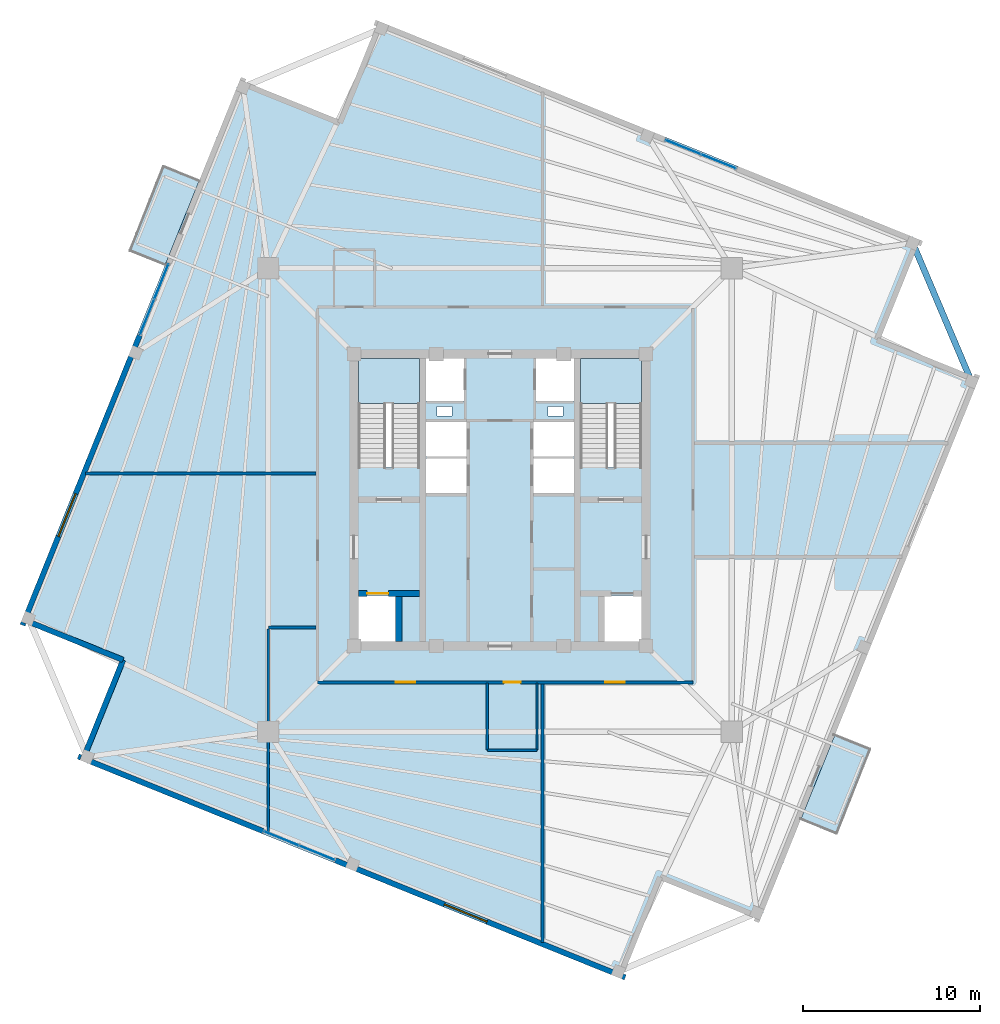
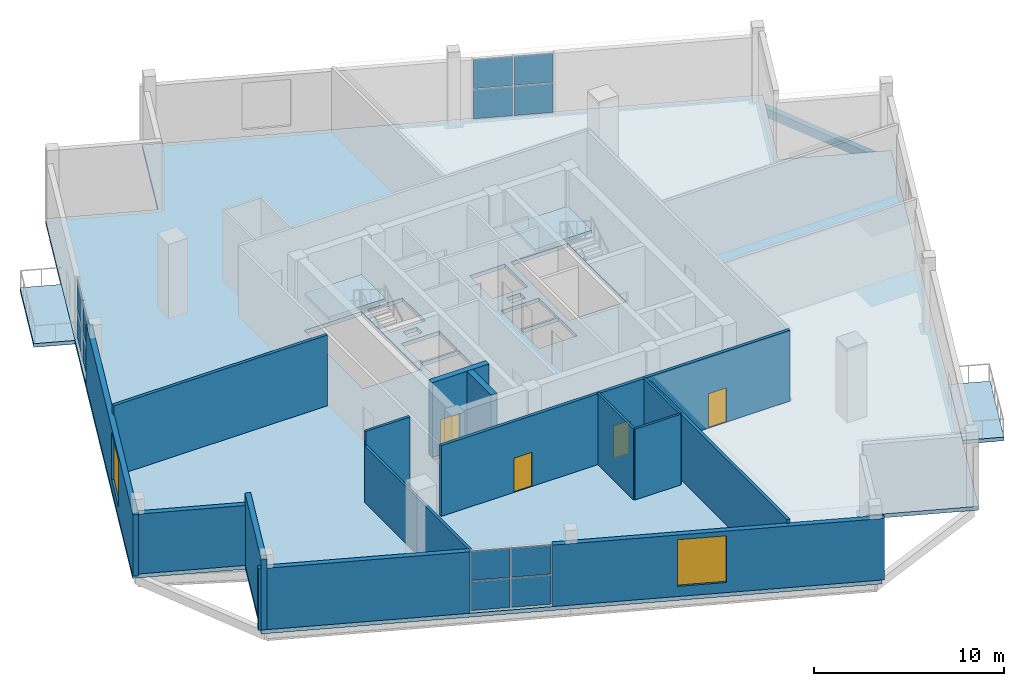
# One storey, part 7 of 12: 15 walls, 12 plates, 5 slabs, 4 doors, 2 windows, 1 beam, 6 openings, 5 elements without a shape of their own.
"""IFC4 building model written with IfcOpenShell, lengths in metres."""

from ifc_helpers import new_model, si_unit, direction, frame, frame_2d, origin, origin_2d, place, context, subcontext, project, spatial, polyline, rectangle, outline, extrude, source, transform, mapped, material, layer, layer_set, material_profile, profile_set, type_object, element, fill, aggregate, save


model = new_model("IFC4")

# Units and contexts
model_context = context("Model", 3, precision=1e-05, world=origin(), true_north=direction((0.0, 1.0)))
body_context = subcontext(model_context, "Body", "Model", "MODEL_VIEW")
ifc_project = project(units=[si_unit("LENGTHUNIT", "METRE"), si_unit("AREAUNIT", "SQUARE_METRE"), si_unit("VOLUMEUNIT", "CUBIC_METRE"), si_unit("PLANEANGLEUNIT", "RADIAN"), si_unit("MASSUNIT", "GRAM", prefix="KILO"), si_unit("THERMODYNAMICTEMPERATUREUNIT", "KELVIN")], contexts=[model_context])

# Site, building, storey
site_placement = place(None, origin())
site = spatial("IfcSite", under=ifc_project, at=site_placement, CompositionType="ELEMENT")
building_placement = place(site_placement, origin())
building = spatial("IfcBuilding", under=site, at=building_placement, Name="Kosmvard Interchange Tower", CompositionType="ELEMENT")
storey_placement = place(building_placement, frame((0.0, 0.0, 312.0)))
storey = spatial("IfcBuildingStorey", under=building, at=storey_placement, Name="L77", CompositionType="ELEMENT", Elevation=312.0)

# Beam
ifc_material_1 = material(Name="Precast concrete C45/55", Category="concrete")
ifc_material_profile = material_profile(ifc_material_1, rectangle(XDim=0.35009765625, YDim=0.550048828125, at=origin_2d()), Name="SL 350x550")
ifc_profile_set = profile_set([ifc_material_profile], Name="Precast concrete C45/55")
beam_type = type_object("IfcBeamType", Name="Precast Spandrel Lintel 350x550 C45/55", PredefinedType="LINTEL", material=ifc_profile_set)
shared_shape_1 = source(origin(), body_context, "Body", "SweptSolid", [
    extrude(rectangle(XDim=0.35009765625, YDim=0.550048828125, at=origin_2d()), origin(), (0.0, 0.0, 1.0), 8.4853515625),
])
beam_placement = place(storey_placement, frame((26.61962890625, 6.690185546875, -0.52490234375), z_axis=(-0.390725696857, 0.920507159025, 0.0), x_axis=(-0.920507159025, -0.390725696857, 0.0)))
element("IfcBeam", 1, at=beam_placement, inside=storey, type_object=beam_type, Name="BM-L77-SL1", PredefinedType="LINTEL", context=body_context, shape_type="MappedRepresentation", body=[
    mapped(shared_shape_1, transform((0.0, 0.0, 0.0), scale=1.0)),
])

# Slab
ifc_material_2 = material(Name="Concrete C50/60", Category="concrete")
ifc_layer_1 = layer(ifc_material_2, 0.25, Name="Concrete C50/60")
ifc_layer_set_1 = layer_set([ifc_layer_1], Name="Concrete C50/60")
slab_type_1 = type_object("IfcSlabType", Name="Hotel Acoustic Floor Slab 250 C50/60", PredefinedType="FLOOR", material=ifc_layer_set_1)
slab_1_placement = place(storey_placement, frame((0.0, 0.0, -0.25)))
element("IfcSlab", 2, at=slab_1_placement, inside=storey, type_object=slab_type_1, Name="L77 Structural Floor Slab", PredefinedType="FLOOR", context=body_context, shape_type="SweptSolid", body=[
    extrude(outline(polyline([(14.6806640625, -23.727294921875), (27.042724609375, 6.869873046875), (21.4794921875, 9.117431640625), (23.727294921875, 14.6806640625), (-6.869873046875, 27.042724609375), (-9.117431640625, 21.4794921875), (-14.6806640625, 23.727294921875), (-27.042724609375, -6.869873046875), (-21.4794921875, -9.117431640625), (-23.727294921875, -14.6806640625), (6.869873046875, -27.042724609375), (9.117431640625, -21.4794921875), (14.6806640625, -23.727294921875)]), holes=[polyline([(-8.0, 1.8349609375), (-4.5400390625, 1.8349609375), (-4.5400390625, 8.0), (-8.0, 8.0), (-8.0, 1.8349609375)]), polyline([(4.5400390625, 1.8349609375), (8.0, 1.8349609375), (8.0, 8.0), (4.5400390625, 8.0), (4.5400390625, 1.8349609375)]), polyline([(-8.0, -8.0), (-5.800048828125, -8.0), (-5.800048828125, -5.39990234375), (-8.0, -5.39990234375), (-8.0, -8.0)]), polyline([(5.800048828125, -8.0), (8.0, -8.0), (8.0, -5.39990234375), (5.800048828125, -5.39990234375), (5.800048828125, -8.0)]), polyline([(-4.179931640625, 0.39990234375), (-1.8798828125, 0.39990234375), (-1.8798828125, 2.340087890625), (-4.179931640625, 2.340087890625), (-4.179931640625, 0.39990234375)]), polyline([(-4.179931640625, 2.4599609375), (-1.8798828125, 2.4599609375), (-1.8798828125, 4.39990234375), (-4.179931640625, 4.39990234375), (-4.179931640625, 2.4599609375)]), polyline([(1.8798828125, 0.39990234375), (4.179931640625, 0.39990234375), (4.179931640625, 2.340087890625), (1.8798828125, 2.340087890625), (1.8798828125, 0.39990234375)]), polyline([(1.8798828125, 2.4599609375), (4.179931640625, 2.4599609375), (4.179931640625, 4.39990234375), (1.8798828125, 4.39990234375), (1.8798828125, 2.4599609375)]), polyline([(-4.179931640625, 5.60009765625), (-2.0400390625, 5.60009765625), (-2.0400390625, 8.0), (-4.179931640625, 8.0), (-4.179931640625, 5.60009765625)]), polyline([(2.0400390625, 5.60009765625), (4.179931640625, 5.60009765625), (4.179931640625, 8.0), (2.0400390625, 8.0), (2.0400390625, 5.60009765625)]), polyline([(-3.56494140625, 4.739990234375), (-2.715087890625, 4.739990234375), (-2.715087890625, 5.2900390625), (-3.56494140625, 5.2900390625), (-3.56494140625, 4.739990234375)]), polyline([(2.715087890625, 4.739990234375), (3.56494140625, 4.739990234375), (3.56494140625, 5.2900390625), (2.715087890625, 5.2900390625), (2.715087890625, 4.739990234375)])]), origin(), (0.0, 0.0, 1.0), 0.25),
])

# Stair, slab
stair_type = type_object("IfcStairType", Name="Dog-Leg Core Exit Stair H4800 C50/60", PredefinedType="HALF_TURN_STAIR", material=ifc_material_2)
stair_1_placement = place(storey_placement, origin())
stair_1 = element("IfcStair", 3, at=stair_1_placement, inside=storey, type_object=stair_type, Name="L77 Protected Exit Stair ST-1", PredefinedType="HALF_TURN_STAIR")
ifc_layer_2 = layer(ifc_material_2, 0.199951171875, Name="Concrete C50/60")
ifc_layer_set_2 = layer_set([ifc_layer_2], Name="Concrete C50/60")
slab_type_2 = type_object("IfcSlabType", Name="Stair Half-Landing Slab 200 C50/60", PredefinedType="LANDING", material=ifc_layer_set_2)
slab_2_placement = place(storey_placement, frame((0.0, 0.0, 2.199951171875)))
slab_2 = element("IfcSlab", 4, at=slab_2_placement, type_object=slab_type_2, Name="ST-1 landing 1", PredefinedType="LANDING", context=body_context, shape_type="SweptSolid", body=[
    extrude(outline(polyline([(-4.5400390625, 5.43994140625), (-4.5400390625, 8.0), (-8.0, 8.0), (-8.0, 5.43994140625), (-4.5400390625, 5.43994140625)])), origin(), (0.0, 0.0, 1.0), 0.199951171875),
])
aggregate(stair_1, [slab_2])

stair_2_placement = place(storey_placement, origin())
stair_2 = element("IfcStair", 5, at=stair_2_placement, inside=storey, type_object=stair_type, Name="L77 Protected Exit Stair ST-2", PredefinedType="HALF_TURN_STAIR")
slab_3_placement = place(storey_placement, frame((0.0, 0.0, 2.199951171875)))
slab_3 = element("IfcSlab", 6, at=slab_3_placement, type_object=slab_type_2, Name="ST-2 landing 1", PredefinedType="LANDING", context=body_context, shape_type="SweptSolid", body=[
    extrude(outline(polyline([(8.0, 5.43994140625), (8.0, 8.0), (4.5400390625, 8.0), (4.5400390625, 5.43994140625), (8.0, 5.43994140625)])), origin(), (0.0, 0.0, 1.0), 0.199951171875),
])
aggregate(stair_2, [slab_3])

# Slabs
ifc_layer_3 = layer(ifc_material_2, 0.22998046875, Name="Concrete C50/60")
ifc_layer_set_3 = layer_set([ifc_layer_3], Name="Concrete C50/60")
slab_type_3 = type_object("IfcSlabType", Name="Tree-Planter Cantilever Balcony Slab 230 C50/60", PredefinedType="FLOOR", material=ifc_layer_set_3)
slab_4_placement = place(storey_placement, frame((0.0, 0.0, -0.22998046875)))
element("IfcSlab", 7, at=slab_4_placement, inside=storey, type_object=slab_type_3, Name="L77 Outdoor Terrace Balcony Slab OBD-L77-N", PredefinedType="FLOOR", context=body_context, shape_type="SweptSolid", body=[
    extrude(outline(polyline([(-18.91357421875, 13.25), (-16.9658203125, 18.0712890625), (-19.005615234375, 18.8955078125), (-20.953369140625, 14.07421875), (-18.91357421875, 13.25)])), origin(), (0.0, 0.0, 1.0), 0.22998046875),
])
slab_5_placement = place(storey_placement, frame((0.0, 0.0, -0.22998046875)))
element("IfcSlab", 8, at=slab_5_placement, inside=storey, type_object=slab_type_3, Name="L77 Outdoor Terrace Balcony Slab OBD-L77-S", PredefinedType="FLOOR", context=body_context, shape_type="SweptSolid", body=[
    extrude(outline(polyline([(19.005615234375, -18.8955078125), (20.953369140625, -14.07421875), (18.91357421875, -13.25), (16.9658203125, -18.0712890625), (19.005615234375, -18.8955078125)])), origin(), (0.0, 0.0, 1.0), 0.22998046875),
])

# Curtain wall, plates
ifc_material_3 = material(Name="Architectural anodised aluminium", Category="aluminium")
ifc_layer_4 = layer(ifc_material_3, 0.239990234375, Name="Architectural anodised aluminium")
ifc_layer_set_4 = layer_set([ifc_layer_4], Name="Architectural anodised aluminium")
curtain_wall_type = type_object("IfcCurtainWallType", Name="CW-5 Public Observation Panorama Curtain Wall", PredefinedType="NOTDEFINED", material=ifc_layer_set_4)
curtain_wall_1_placement = place(storey_placement, origin())
curtain_wall_1 = element("IfcCurtainWall", 9, at=curtain_wall_1_placement, inside=storey, type_object=curtain_wall_type, Name="L77 Observation Panorama Curtain Wall E", PredefinedType="NOTDEFINED")
ifc_material_4 = material(Name="Laminated panoramic double glazing", Category="glass")
ifc_layer_5 = layer(ifc_material_4, 0.0380859375, Name="Laminated panoramic double glazing")
ifc_layer_set_5 = layer_set([ifc_layer_5], Name="Laminated panoramic double glazing")
plate_type = type_object("IfcPlateType", Name="Observation Acoustic Curtain Panel 38", PredefinedType="CURTAIN_PANEL", material=ifc_layer_set_5)
shared_shape_2 = source(origin(), body_context, "Body", "SweptSolid", [
    extrude(rectangle(XDim=2.080078125, YDim=0.0380859375, at=origin_2d()), origin(), (0.0, 0.0, 1.0), 1.8701171875),
])
plate_1_placement = place(storey_placement, frame((12.3388671875, 19.114501953125, 0.06982421875), z_axis=(0.0, 0.0, 1.0), x_axis=(-0.927183856711, 0.374606588108, 0.0)))
plate_1 = element("IfcPlate", 10, at=plate_1_placement, type_object=plate_type, Name="CW-5 panel 1.1", PredefinedType="CURTAIN_PANEL", context=body_context, shape_type="MappedRepresentation", body=[
    mapped(shared_shape_2, transform((0.0, 0.0, 0.0), scale=1.0)),
])
plate_2_placement = place(storey_placement, frame((12.3388671875, 19.114501953125, 2.010009765625), z_axis=(0.0, 0.0, 1.0), x_axis=(-0.927183856711, 0.374606588108, 0.0)))
plate_2 = element("IfcPlate", 11, at=plate_2_placement, type_object=plate_type, Name="CW-5 panel 1.2", PredefinedType="CURTAIN_PANEL", context=body_context, shape_type="MappedRepresentation", body=[
    mapped(shared_shape_2, transform((0.0, 0.0, 0.0), scale=1.0)),
])
plate_3_placement = place(storey_placement, frame((10.336181640625, 19.923828125, 0.06982421875), z_axis=(0.0, 0.0, 1.0), x_axis=(-0.927183856711, 0.374606588108, 0.0)))
plate_3 = element("IfcPlate", 12, at=plate_3_placement, type_object=plate_type, Name="CW-5 panel 2.1", PredefinedType="CURTAIN_PANEL", context=body_context, shape_type="MappedRepresentation", body=[
    mapped(shared_shape_2, transform((0.0, 0.0, 0.0), scale=1.0)),
])
plate_4_placement = place(storey_placement, frame((10.336181640625, 19.923828125, 2.010009765625), z_axis=(0.0, 0.0, 1.0), x_axis=(-0.927183856711, 0.374606588108, 0.0)))
plate_4 = element("IfcPlate", 13, at=plate_4_placement, type_object=plate_type, Name="CW-5 panel 2.2", PredefinedType="CURTAIN_PANEL", context=body_context, shape_type="MappedRepresentation", body=[
    mapped(shared_shape_2, transform((0.0, 0.0, 0.0), scale=1.0)),
])
aggregate(curtain_wall_1, [plate_1, plate_2, plate_3, plate_4])

curtain_wall_2_placement = place(storey_placement, origin())
curtain_wall_2 = element("IfcCurtainWall", 14, at=curtain_wall_2_placement, inside=storey, type_object=curtain_wall_type, Name="L77 Observation Panorama Curtain Wall N", PredefinedType="NOTDEFINED")
plate_5_placement = place(storey_placement, frame((-19.114501953125, 12.3388671875, 0.06982421875), z_axis=(0.0, 0.0, 1.0), x_axis=(-0.374606588108, -0.927183856711, 0.0)))
plate_5 = element("IfcPlate", 15, at=plate_5_placement, type_object=plate_type, Name="CW-5 panel 1.1", PredefinedType="CURTAIN_PANEL", context=body_context, shape_type="MappedRepresentation", body=[
    mapped(shared_shape_2, transform((0.0, 0.0, 0.0), scale=1.0)),
])
plate_6_placement = place(storey_placement, frame((-19.114501953125, 12.3388671875, 2.010009765625), z_axis=(0.0, 0.0, 1.0), x_axis=(-0.374606588108, -0.927183856711, 0.0)))
plate_6 = element("IfcPlate", 16, at=plate_6_placement, type_object=plate_type, Name="CW-5 panel 1.2", PredefinedType="CURTAIN_PANEL", context=body_context, shape_type="MappedRepresentation", body=[
    mapped(shared_shape_2, transform((0.0, 0.0, 0.0), scale=1.0)),
])
plate_7_placement = place(storey_placement, frame((-19.923828125, 10.336181640625, 0.06982421875), z_axis=(0.0, 0.0, 1.0), x_axis=(-0.374606588108, -0.927183856711, 0.0)))
plate_7 = element("IfcPlate", 17, at=plate_7_placement, type_object=plate_type, Name="CW-5 panel 2.1", PredefinedType="CURTAIN_PANEL", context=body_context, shape_type="MappedRepresentation", body=[
    mapped(shared_shape_2, transform((0.0, 0.0, 0.0), scale=1.0)),
])
plate_8_placement = place(storey_placement, frame((-19.923828125, 10.336181640625, 2.010009765625), z_axis=(0.0, 0.0, 1.0), x_axis=(-0.374606588108, -0.927183856711, 0.0)))
plate_8 = element("IfcPlate", 18, at=plate_8_placement, type_object=plate_type, Name="CW-5 panel 2.2", PredefinedType="CURTAIN_PANEL", context=body_context, shape_type="MappedRepresentation", body=[
    mapped(shared_shape_2, transform((0.0, 0.0, 0.0), scale=1.0)),
])
aggregate(curtain_wall_2, [plate_5, plate_6, plate_7, plate_8])

curtain_wall_3_placement = place(storey_placement, origin())
curtain_wall_3 = element("IfcCurtainWall", 19, at=curtain_wall_3_placement, inside=storey, type_object=curtain_wall_type, Name="L77 Observation Panorama Curtain Wall W", PredefinedType="NOTDEFINED")
plate_9_placement = place(storey_placement, frame((-12.3388671875, -19.114501953125, 0.06982421875), z_axis=(0.0, 0.0, 1.0), x_axis=(0.927183856711, -0.374606588108, 0.0)))
plate_9 = element("IfcPlate", 20, at=plate_9_placement, type_object=plate_type, Name="CW-5 panel 1.1", PredefinedType="CURTAIN_PANEL", context=body_context, shape_type="MappedRepresentation", body=[
    mapped(shared_shape_2, transform((0.0, 0.0, 0.0), scale=1.0)),
])
plate_10_placement = place(storey_placement, frame((-12.3388671875, -19.114501953125, 2.010009765625), z_axis=(0.0, 0.0, 1.0), x_axis=(0.927183856711, -0.374606588108, 0.0)))
plate_10 = element("IfcPlate", 21, at=plate_10_placement, type_object=plate_type, Name="CW-5 panel 1.2", PredefinedType="CURTAIN_PANEL", context=body_context, shape_type="MappedRepresentation", body=[
    mapped(shared_shape_2, transform((0.0, 0.0, 0.0), scale=1.0)),
])
plate_11_placement = place(storey_placement, frame((-10.336181640625, -19.923828125, 0.06982421875), z_axis=(0.0, 0.0, 1.0), x_axis=(0.927183856711, -0.374606588108, 0.0)))
plate_11 = element("IfcPlate", 22, at=plate_11_placement, type_object=plate_type, Name="CW-5 panel 2.1", PredefinedType="CURTAIN_PANEL", context=body_context, shape_type="MappedRepresentation", body=[
    mapped(shared_shape_2, transform((0.0, 0.0, 0.0), scale=1.0)),
])
plate_12_placement = place(storey_placement, frame((-10.336181640625, -19.923828125, 2.010009765625), z_axis=(0.0, 0.0, 1.0), x_axis=(0.927183856711, -0.374606588108, 0.0)))
plate_12 = element("IfcPlate", 23, at=plate_12_placement, type_object=plate_type, Name="CW-5 panel 2.2", PredefinedType="CURTAIN_PANEL", context=body_context, shape_type="MappedRepresentation", body=[
    mapped(shared_shape_2, transform((0.0, 0.0, 0.0), scale=1.0)),
])
aggregate(curtain_wall_3, [plate_9, plate_10, plate_11, plate_12])

# Walls
ifc_material_5 = material(Name="Acoustic gypsum partition system")
ifc_layer_6 = layer(ifc_material_5, 0.14990234375, Name="Acoustic gypsum partition system")
ifc_layer_set_6 = layer_set([ifc_layer_6], Name="Acoustic gypsum partition system")
wall_type_1 = type_object("IfcWallType", Name="Acoustic Suite & Meeting Partition 150", PredefinedType="PARTITIONING", material=ifc_layer_set_6)
wall_1_placement = place(storey_placement, frame((-10.39501953125, -7.199951171875, 0.0), z_axis=(0.0, 0.0, 1.0), x_axis=(-1.0, 0.0, 0.0)))
element("IfcWall", 24, at=wall_1_placement, inside=storey, type_object=wall_type_1, Name="L77 Room Partition 06.1", PredefinedType="PARTITIONING", context=body_context, shape_type="SweptSolid", body=[
    extrude(rectangle(XDim=2.68603515625, YDim=0.14990234375, at=frame_2d((1.343017578125, 0.0))), origin(), (0.0, 0.0, 1.0), 4.550048828125),
])
wall_2_placement = place(storey_placement, frame((-13.0810546875, -7.27490234375, 0.0), z_axis=(0.0, 0.0, 1.0), x_axis=(0.0, -1.0, 0.0)))
element("IfcWall", 25, at=wall_2_placement, inside=storey, type_object=wall_type_1, Name="L77 Room Partition 07.1", PredefinedType="PARTITIONING", context=body_context, shape_type="SweptSolid", body=[
    extrude(rectangle(XDim=11.44287109375, YDim=0.14990234375, at=frame_2d((5.721435546875, 0.0))), origin(), (0.0, 0.0, 1.0), 3.64990234375),
])

# Wall, openings, doors
ifc_material_6 = material(Name="Fire-rated gypsum partition system")
ifc_layer_7 = layer(ifc_material_6, 0.179931640625, Name="Fire-rated gypsum partition system")
ifc_layer_set_7 = layer_set([ifc_layer_7], Name="Fire-rated gypsum partition system")
wall_type_2 = type_object("IfcWallType", Name="Corridor & Hotel Compartment Partition 180", PredefinedType="PARTITIONING", material=ifc_layer_set_7)
wall_3_placement = place(storey_placement, frame((-10.300048828125, -10.300048828125, 0.0), z_axis=(0.0, 0.0, 1.0), x_axis=(1.0, 0.0, 0.0)))
wall_3 = element("IfcWall", 26, at=wall_3_placement, inside=storey, type_object=wall_type_2, Name="L77 Corridor Wall CS", PredefinedType="PARTITIONING", context=body_context, shape_type="SweptSolid", body=[
    extrude(rectangle(XDim=21.199951171875, YDim=0.179931640625, at=frame_2d((10.60009765625, 0.0))), origin(), (0.0, 0.0, 1.0), 4.550048828125),
])
opening_1_placement = place(wall_3_placement, frame((10.513916015625, 0.0, 0.0)))
opening_1 = element("IfcOpeningElement", 27, at=opening_1_placement, cuts=wall_3, Name="Opening L77-D02", PredefinedType="OPENING", context=body_context, shape_type="SweptSolid", body=[
    extrude(rectangle(XDim=0.949951171875, YDim=2.10009765625, at=frame_2d((0.47509765625, 1.050048828125))), frame((0.0, 0.10009765625, 0.0), z_axis=(0.0, -1.0, 0.0), x_axis=(1.0, 0.0, 0.0)), (0.0, 0.0, 1.0), 0.199951171875),
])
opening_2_placement = place(wall_3_placement, frame((16.235595703125, 0.0, 0.0)))
opening_2 = element("IfcOpeningElement", 28, at=opening_2_placement, cuts=wall_3, Name="Opening L77-D06", PredefinedType="OPENING", context=body_context, shape_type="SweptSolid", body=[
    extrude(rectangle(XDim=1.10009765625, YDim=2.199951171875, at=frame_2d((0.550048828125, 1.10009765625))), frame((0.0, 0.10009765625, 0.0), z_axis=(0.0, -1.0, 0.0), x_axis=(1.0, 0.0, 0.0)), (0.0, 0.0, 1.0), 0.199951171875),
])
opening_3_placement = place(wall_3_placement, frame((4.4150390625, 0.0, 0.0)))
opening_3 = element("IfcOpeningElement", 29, at=opening_3_placement, cuts=wall_3, Name="Opening L77-D07", PredefinedType="OPENING", context=body_context, shape_type="SweptSolid", body=[
    extrude(rectangle(XDim=1.10009765625, YDim=2.199951171875, at=frame_2d((0.550048828125, 1.10009765625))), frame((0.0, 0.10009765625, 0.0), z_axis=(0.0, -1.0, 0.0), x_axis=(1.0, 0.0, 0.0)), (0.0, 0.0, 1.0), 0.199951171875),
])
ifc_material_7 = material(Name="Laminated moisture-resistant timber", Category="wood")
door_type_1 = type_object("IfcDoorType", Name="Accessible Washroom Door 950x2100", OperationType="NOTDEFINED", PredefinedType="DOOR", material=ifc_material_7)
shared_shape_3 = source(origin(), body_context, "Body", "SweptSolid", [
    extrude(rectangle(XDim=0.949951171875, YDim=2.10009765625, at=frame_2d((0.47509765625, 1.050048828125))), frame((0.0, 0.02490234375, 0.0), z_axis=(0.0, -1.0, 0.0), x_axis=(1.0, 0.0, 0.0)), (0.0, 0.0, 1.0), 0.050048828125),
])
door_1_placement = place(opening_1_placement, frame((0.949951171875, 0.0, 0.0), z_axis=(0.0, 0.0, 1.0), x_axis=(-1.0, 0.0, 0.0)))
door_1 = element("IfcDoor", 30, at=door_1_placement, inside=storey, type_object=door_type_1, Name="L77 Public Observation Washroom Door", OperationType="SINGLE_SWING_RIGHT", OverallHeight=2.10009765625, OverallWidth=0.949951171875, PredefinedType="DOOR", context=body_context, shape_type="MappedRepresentation", body=[
    mapped(shared_shape_3, transform((0.0, 0.0, 0.0), scale=1.0)),
])
fill(opening_1, door_1)
ifc_material_8 = material(Name="Engineered oak fire-rated timber", Category="wood")
door_type_2 = type_object("IfcDoorType", Name="Office Suite Entrance Door 1100x2200 FD30S", OperationType="NOTDEFINED", PredefinedType="DOOR", material=ifc_material_8)
shared_shape_4 = source(origin(), body_context, "Body", "SweptSolid", [
    extrude(rectangle(XDim=1.10009765625, YDim=2.199951171875, at=frame_2d((0.550048828125, 1.10009765625))), frame((0.0, 0.02490234375, 0.0), z_axis=(0.0, -1.0, 0.0), x_axis=(1.0, 0.0, 0.0)), (0.0, 0.0, 1.0), 0.050048828125),
])
door_2_placement = place(opening_2_placement, frame((1.10009765625, 0.0, 0.0), z_axis=(0.0, 0.0, 1.0), x_axis=(-1.0, 0.0, 0.0)))
door_2 = element("IfcDoor", 31, at=door_2_placement, inside=storey, type_object=door_type_2, Name="L77 Public Observation Deck South Door", OperationType="SINGLE_SWING_RIGHT", OverallHeight=2.199951171875, OverallWidth=1.10009765625, PredefinedType="DOOR", context=body_context, shape_type="MappedRepresentation", body=[
    mapped(shared_shape_4, transform((0.0, 0.0, 0.0), scale=1.0)),
])
fill(opening_2, door_2)
door_3_placement = place(opening_3_placement, frame((1.10009765625, 0.0, 0.0), z_axis=(0.0, 0.0, 1.0), x_axis=(-1.0, 0.0, 0.0)))
door_3 = element("IfcDoor", 32, at=door_3_placement, inside=storey, type_object=door_type_2, Name="L77 Observation Gift Boutique Door", OperationType="SINGLE_SWING_LEFT", OverallHeight=2.199951171875, OverallWidth=1.10009765625, PredefinedType="DOOR", context=body_context, shape_type="MappedRepresentation", body=[
    mapped(shared_shape_4, transform((0.0, 0.0, 0.0), scale=1.0)),
])
fill(opening_3, door_3)

# Walls
wall_4_placement = place(storey_placement, frame((2.39990234375, -10.39501953125, 0.0), z_axis=(0.0, 0.0, 1.0), x_axis=(0.0, -1.0, 0.0)))
element("IfcWall", 33, at=wall_4_placement, inside=storey, type_object=wall_type_2, Name="L77 Room Partition 04.1", PredefinedType="PARTITIONING", context=body_context, shape_type="SweptSolid", body=[
    extrude(rectangle(XDim=14.577392578125, YDim=0.179931640625, at=frame_2d((7.28857421875, 0.0))), origin(), (0.0, 0.0, 1.0), 4.219970703125),
])
wall_5_placement = place(storey_placement, frame((-10.39501953125, 1.5, 0.0), z_axis=(0.0, 0.0, 1.0), x_axis=(-1.0, 0.0, 0.0)))
element("IfcWall", 34, at=wall_5_placement, inside=storey, type_object=wall_type_2, Name="L77 Room Partition 05.1", PredefinedType="PARTITIONING", context=body_context, shape_type="SweptSolid", body=[
    extrude(rectangle(XDim=13.001708984375, YDim=0.179931640625, at=frame_2d((6.5009765625, 0.0))), origin(), (0.0, 0.0, 1.0), 4.550048828125),
])

# Wall, opening, door
ifc_material_9 = material(Name="Concrete C60/75", Category="concrete")
ifc_layer_8 = layer(ifc_material_9, 0.360107421875, Name="Concrete C60/75")
ifc_layer_set_8 = layer_set([ifc_layer_8], Name="Concrete C60/75")
wall_type_3 = type_object("IfcWallType", Name="Stair & Lift Shaft Shear Wall 360 C60/75", PredefinedType="SHEAR", material=ifc_layer_set_8)
wall_6_placement = place(storey_placement, frame((-8.0, -5.280029296875, 0.0), z_axis=(0.0, 0.0, 1.0), x_axis=(1.0, 0.0, 0.0)))
wall_6 = element("IfcWall", 35, at=wall_6_placement, inside=storey, type_object=wall_type_3, Name="L77 Shaft Shear Wall SW-FF1", PredefinedType="SHEAR", context=body_context, shape_type="SweptSolid", body=[
    extrude(rectangle(XDim=3.4599609375, YDim=0.360107421875, at=frame_2d((1.72998046875, 0.0))), origin(), (0.0, 0.0, 1.0), 4.800048828125),
])
opening_4_placement = place(wall_6_placement, frame((0.5, 0.0, 0.0)))
opening_4 = element("IfcOpeningElement", 36, at=opening_4_placement, cuts=wall_6, Name="Opening LD-FF-1-L77", PredefinedType="OPENING", context=body_context, shape_type="SweptSolid", body=[
    extrude(rectangle(XDim=1.199951171875, YDim=2.25, at=frame_2d((0.60009765625, 1.125))), frame((0.0, 0.18994140625, 0.0), z_axis=(0.0, -1.0, 0.0), x_axis=(1.0, 0.0, 0.0)), (0.0, 0.0, 1.0), 0.380126953125),
])
ifc_material_10 = material(Name="Brushed stainless steel sliding leaf", Category="steel")
door_type_3 = type_object("IfcDoorType", Name="Firefighting Lift Sliding Landing Door 1200x2250 EI120", OperationType="DOUBLE_DOOR_SLIDING", PredefinedType="DOOR", material=ifc_material_10)
shared_shape_5 = source(origin(), body_context, "Body", "SweptSolid", [
    extrude(rectangle(XDim=1.199951171875, YDim=2.25, at=frame_2d((0.60009765625, 1.125))), frame((0.0, 0.02490234375, 0.0), z_axis=(0.0, -1.0, 0.0), x_axis=(1.0, 0.0, 0.0)), (0.0, 0.0, 1.0), 0.050048828125),
])
door_4_placement = place(opening_4_placement, origin())
door_4 = element("IfcDoor", 37, at=door_4_placement, inside=storey, type_object=door_type_3, Name="Lift FF-1 Landing Door L77", OperationType="DOUBLE_DOOR_SLIDING", OverallHeight=2.25, OverallWidth=1.199951171875, PredefinedType="DOOR", context=body_context, shape_type="MappedRepresentation", body=[
    mapped(shared_shape_5, transform((0.0, 0.0, 0.0), scale=1.0)),
])
fill(opening_4, door_4)

# Walls
wall_7_placement = place(storey_placement, frame((-5.7099609375, -8.0, 0.0), z_axis=(0.0, 0.0, 1.0), x_axis=(0.0, 1.0, 0.0)))
element("IfcWall", 38, at=wall_7_placement, inside=storey, type_object=wall_type_3, Name="L77 Shaft Shear Wall SW-SM1", PredefinedType="SHEAR", context=body_context, shape_type="SweptSolid", body=[
    extrude(rectangle(XDim=2.5400390625, YDim=0.360107421875, at=frame_2d((1.27001953125, 0.0))), origin(), (0.0, 0.0, 1.0), 4.800048828125),
])
ifc_layer_9 = layer(ifc_material_1, 0.31005859375, Name="Precast concrete C45/55")
ifc_layer_set_9 = layer_set([ifc_layer_9], Name="Precast concrete C45/55")
wall_type_4 = type_object("IfcWallType", Name="Upper Tower Precast Pier Wall 310 C45/55", PredefinedType="STANDARD", material=ifc_layer_set_9)
wall_8_placement = place(storey_placement, frame((-26.8408203125, -6.7841796875, 0.0), z_axis=(0.0, 0.0, 1.0), x_axis=(0.927171722085, -0.374636620962, 0.0)))
element("IfcWall", 39, at=wall_8_placement, inside=storey, type_object=wall_type_4, Name="L77 Corner Precast Pier N-NW1", PredefinedType="STANDARD", context=body_context, shape_type="SweptSolid", body=[
    extrude(rectangle(XDim=6.0, YDim=0.31005859375, at=frame_2d((3.0, 0.0))), origin(), (0.0, 0.0, 1.0), 3.85009765625),
])
wall_9_placement = place(storey_placement, frame((-21.27783203125, -9.031982421875, 0.0), z_axis=(0.0, 0.0, 1.0), x_axis=(-0.374602739196, -0.927185411764, 0.0)))
element("IfcWall", 40, at=wall_9_placement, inside=storey, type_object=wall_type_4, Name="L77 Corner Precast Pier N-NW2", PredefinedType="STANDARD", context=body_context, shape_type="SweptSolid", body=[
    extrude(rectangle(XDim=6.155029296875, YDim=0.31005859375, at=frame_2d((3.07763671875, 0.0))), origin(), (0.0, 0.0, 1.0), 4.550048828125),
])

# Wall, opening, window
wall_10_placement = place(storey_placement, frame((-20.34326171875, 9.2978515625, 0.0), z_axis=(0.0, 0.0, 1.0), x_axis=(-0.374607087443, -0.927183654967, 0.0)))
wall_10 = element("IfcWall", 41, at=wall_10_placement, inside=storey, type_object=wall_type_4, Name="L77 Facade Pier Wall NB", PredefinedType="STANDARD", context=body_context, shape_type="SweptSolid", body=[
    extrude(rectangle(XDim=17.6552734375, YDim=0.31005859375, at=frame_2d((8.82763671875, 0.0))), origin(), (0.0, 0.0, 1.0), 3.949951171875),
])
opening_5_placement = place(wall_10_placement, frame((9.64599609375, 0.0, 0.64990234375)))
opening_5 = element("IfcOpeningElement", 42, at=opening_5_placement, cuts=wall_10, Name="Opening L77-WNB", PredefinedType="OPENING", context=body_context, shape_type="SweptSolid", body=[
    extrude(rectangle(XDim=2.60009765625, YDim=3.0, at=frame_2d((1.300048828125, 1.5))), frame((0.0, 0.1650390625, 0.0), z_axis=(0.0, -1.0, 0.0), x_axis=(1.0, 0.0, 0.0)), (0.0, 0.0, 1.0), 0.330078125),
])
window_type = type_object("IfcWindowType", Name="Observation Gallery Clerestory Window 2600x3000", PartitioningType="SINGLE_PANEL", PredefinedType="WINDOW", material=ifc_material_4)
shared_shape_6 = source(origin(), body_context, "Body", "SweptSolid", [
    extrude(rectangle(XDim=2.60009765625, YDim=3.0, at=frame_2d((1.300048828125, 1.5))), frame((0.0, 0.030029296875, 0.0), z_axis=(0.0, -1.0, 0.0), x_axis=(1.0, 0.0, 0.0)), (0.0, 0.0, 1.0), 0.06005859375),
])
window_1_placement = place(opening_5_placement, origin())
window_1 = element("IfcWindow", 43, at=window_1_placement, inside=storey, type_object=window_type, Name="L77 Facade Punched Window NB", OverallHeight=3.0, OverallWidth=2.60009765625, PartitioningType="SINGLE_PANEL", PredefinedType="WINDOW", context=body_context, shape_type="MappedRepresentation", body=[
    mapped(shared_shape_6, transform((0.0, 0.0, 0.0), scale=1.0)),
])
fill(opening_5, window_1)

# Wall
wall_11_placement = place(storey_placement, frame((-23.812744140625, -14.478759765625, 0.0), z_axis=(0.0, 0.0, 1.0), x_axis=(0.927178527544, -0.374619777991, 0.0)))
element("IfcWall", 44, at=wall_11_placement, inside=storey, type_object=wall_type_4, Name="L77 Facade Pier Wall WA", PredefinedType="STANDARD", context=body_context, shape_type="SweptSolid", body=[
    extrude(rectangle(XDim=11.2548828125, YDim=0.31005859375, at=frame_2d((5.62744140625, 0.0))), origin(), (0.0, 0.0, 1.0), 3.949951171875),
])

# Wall, opening, window
wall_12_placement = place(storey_placement, frame((-9.2978515625, -20.34326171875, 0.0), z_axis=(0.0, 0.0, 1.0), x_axis=(0.927183654967, -0.374607087443, 0.0)))
wall_12 = element("IfcWall", 45, at=wall_12_placement, inside=storey, type_object=wall_type_4, Name="L77 Facade Pier Wall WB", PredefinedType="STANDARD", context=body_context, shape_type="SweptSolid", body=[
    extrude(rectangle(XDim=17.6552734375, YDim=0.31005859375, at=frame_2d((8.82763671875, 0.0))), origin(), (0.0, 0.0, 1.0), 3.949951171875),
])
opening_6_placement = place(wall_12_placement, frame((6.644775390625, 0.0, 0.64990234375)))
opening_6 = element("IfcOpeningElement", 46, at=opening_6_placement, cuts=wall_12, Name="Opening L77-WWB", PredefinedType="OPENING", context=body_context, shape_type="SweptSolid", body=[
    extrude(rectangle(XDim=2.60009765625, YDim=3.0, at=frame_2d((1.300048828125, 1.5))), frame((0.0, 0.1650390625, 0.0), z_axis=(0.0, -1.0, 0.0), x_axis=(1.0, 0.0, 0.0)), (0.0, 0.0, 1.0), 0.330078125),
])
window_2_placement = place(opening_6_placement, origin())
window_2 = element("IfcWindow", 47, at=window_2_placement, inside=storey, type_object=window_type, Name="L77 Facade Punched Window WB", OverallHeight=3.0, OverallWidth=2.60009765625, PartitioningType="SINGLE_PANEL", PredefinedType="WINDOW", context=body_context, shape_type="MappedRepresentation", body=[
    mapped(shared_shape_6, transform((0.0, 0.0, 0.0), scale=1.0)),
])
fill(opening_6, window_2)

# Walls
ifc_material_11 = material(Name="Moisture-resistant gypsum partition")
ifc_layer_10 = layer(ifc_material_11, 0.135009765625, Name="Moisture-resistant gypsum partition")
ifc_layer_set_10 = layer_set([ifc_layer_10], Name="Moisture-resistant gypsum partition")
wall_type_5 = type_object("IfcWallType", Name="Wet Room Moisture-Resistant Partition 135", PredefinedType="PARTITIONING", material=ifc_layer_set_10)
wall_13_placement = place(storey_placement, frame((-0.711181640625, -14.1201171875, 0.0), z_axis=(0.0, 0.0, 1.0), x_axis=(1.0, 0.0, 0.0)))
element("IfcWall", 48, at=wall_13_placement, inside=storey, type_object=wall_type_5, Name="L77 Washroom Partition WC1-S", PredefinedType="PARTITIONING", context=body_context, shape_type="SweptSolid", body=[
    extrude(rectangle(XDim=2.800048828125, YDim=0.135009765625, at=frame_2d((1.39990234375, 0.0))), origin(), (0.0, 0.0, 1.0), 4.550048828125),
])
for number, where, z_axis, x_axis, name in (
    (49, (2.0888671875, -14.1201171875, 0.0), (0.0, 0.0, 1.0), (0.0, 1.0, 0.0), "L77 Washroom Partition WC1-E"),
    (50, (-0.711181640625, -14.1201171875, 0.0), (0.0, 0.0, 1.0), (0.0, 1.0, 0.0), "L77 Washroom Partition WC1-W"),
):
    element("IfcWall", number, at=place(storey_placement, frame(where, z_axis=z_axis, x_axis=x_axis)), inside=storey, type_object=wall_type_5, Name=name, PredefinedType="PARTITIONING", context=body_context, shape_type="SweptSolid", body=[
        extrude(rectangle(XDim=3.800048828125, YDim=0.135009765625, at=frame_2d((1.89990234375, 0.0))), origin(), (0.0, 0.0, 1.0), 4.550048828125),
    ])

save(model, "model.ifc")
